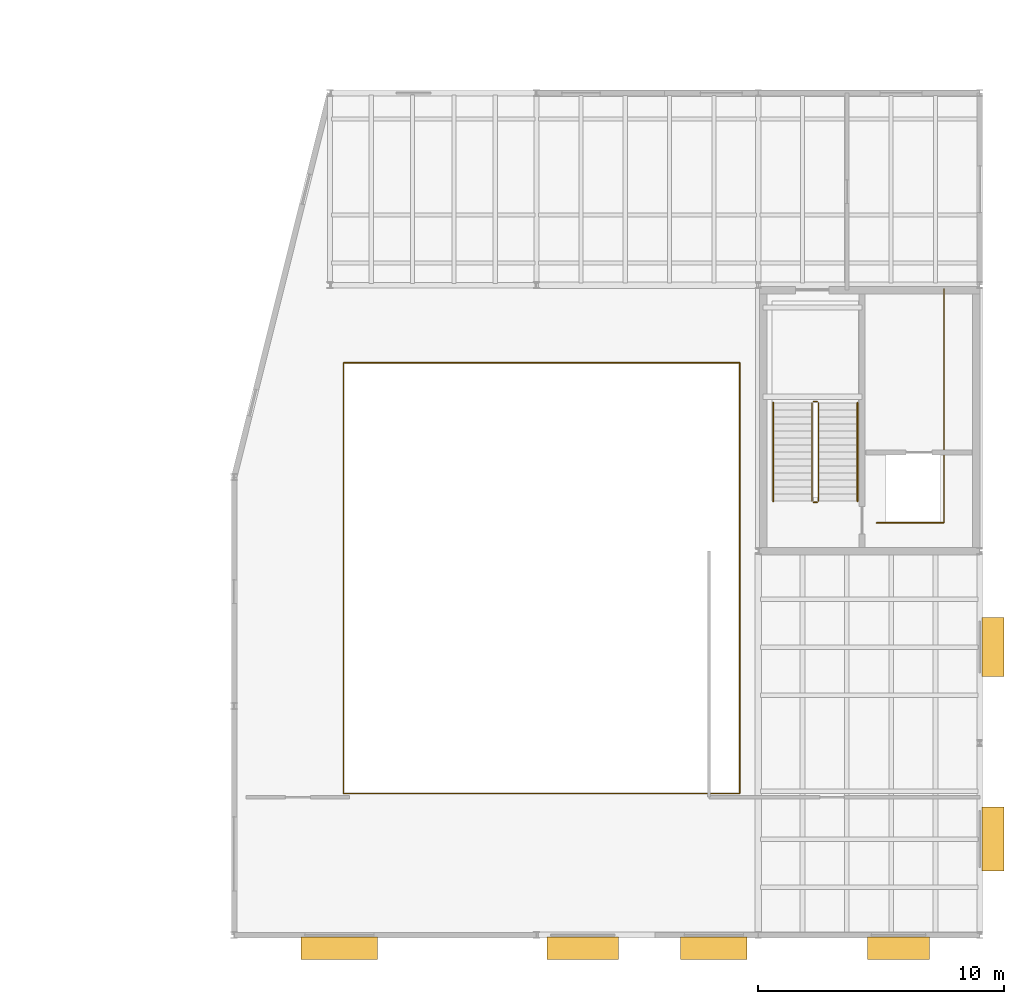
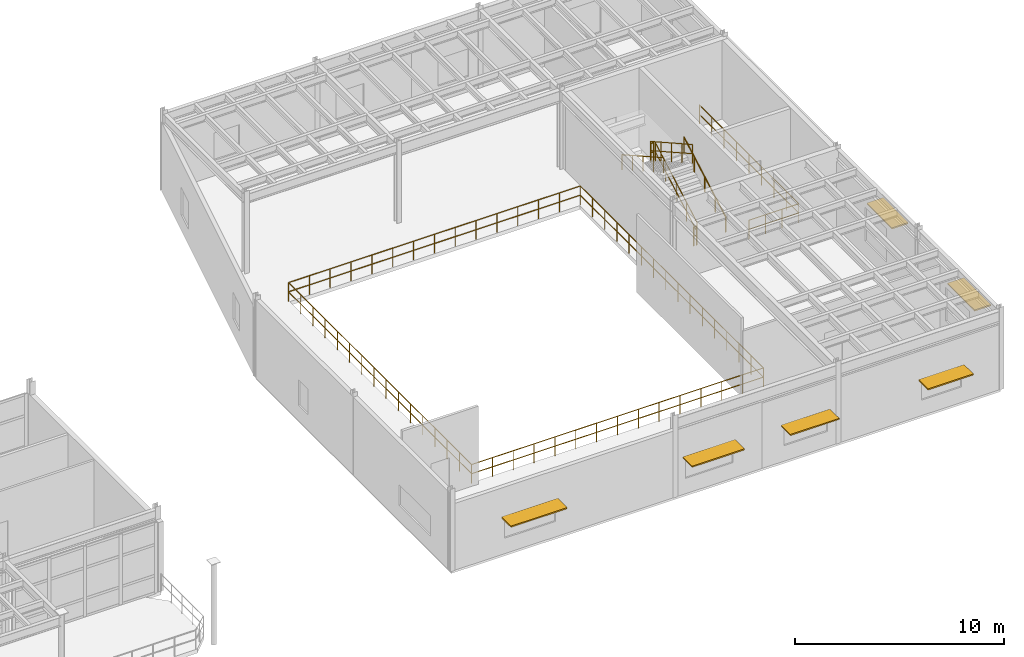
# One storey, part 105 of 105: 11 railings, 6 shading devices.
"""IFC4 building model written with IfcOpenShell, lengths in metres."""

from ifc_helpers import new_model, si_unit, direction, frame, origin, origin_2d, place, context, subcontext, project, spatial, rectangle, circle, extrude, material, layer, layer_set, type_object, element, save


model = new_model("IFC4")

# Units and contexts
model_context = context("Model", 3, precision=1e-05, world=origin(), true_north=direction((0.0, 1.0)))
body_context = subcontext(model_context, "Body", "Model", "MODEL_VIEW")
ifc_project = project(units=[si_unit("LENGTHUNIT", "METRE"), si_unit("AREAUNIT", "SQUARE_METRE"), si_unit("VOLUMEUNIT", "CUBIC_METRE"), si_unit("PLANEANGLEUNIT", "RADIAN"), si_unit("MASSUNIT", "GRAM", prefix="KILO")], contexts=[model_context])

# Site, building, storey
site_placement = place(None, origin())
site = spatial("IfcSite", under=ifc_project, at=site_placement, CompositionType="ELEMENT")
building_placement = place(site_placement, origin())
building = spatial("IfcBuilding", under=site, at=building_placement, Name="Selat Folded Stagehouse", CompositionType="ELEMENT")
storey_placement = place(building_placement, frame((0.0, 0.0, 10.199951171875)))
storey = spatial("IfcBuildingStorey", under=building, at=storey_placement, Name="L02", CompositionType="ELEMENT", Elevation=10.199951171875)

# Railings
ifc_material_1 = material(Name="Bronze-anodised steel balustrade", Category="steel")
ifc_layer_1 = layer(ifc_material_1, 0.06494140625)
ifc_layer_set_1 = layer_set([ifc_layer_1], Name="Bronze-anodised steel balustrade")
railing_type_1 = type_object("IfcRailingType", Name="RLG-BAL-1120", PredefinedType="BALUSTRADE", material=ifc_layer_set_1)
railing_1_placement = place(storey_placement, frame((134.949951171875, 5.75, 0.0)))
element("IfcRailing", 1, at=railing_1_placement, inside=storey, type_object=railing_type_1, Name="L02 protective guard railing 046", PredefinedType="BALUSTRADE", context=body_context, shape_type="SweptSolid", body=[
    extrude(circle(Radius=0.02392578125, at=origin_2d()), frame((0.0, 0.0, 1.09619140625), z_axis=(1.0, 0.0, 0.0), x_axis=(0.0, 1.0, 0.0)), (0.0, 0.0, 1.0), 16.10009765625),
    extrude(circle(Radius=0.02392578125, at=origin_2d()), frame((0.0, 0.0, 0.56005859375), z_axis=(1.0, 0.0, 0.0), x_axis=(0.0, 1.0, 0.0)), (0.0, 0.0, 1.0), 16.10009765625),
    extrude(circle(Radius=0.02099609375, at=origin_2d()), origin(), (0.0, 0.0, 1.0), 1.072021484375),
    extrude(circle(Radius=0.02099609375, at=origin_2d()), frame((1.14990234375, 0.0, 0.0)), (0.0, 0.0, 1.0), 1.072021484375),
    extrude(circle(Radius=0.02099609375, at=origin_2d()), frame((2.300048828125, 0.0, 0.0)), (0.0, 0.0, 1.0), 1.072021484375),
    extrude(circle(Radius=0.02099609375, at=origin_2d()), frame((3.449951171875, 0.0, 0.0)), (0.0, 0.0, 1.0), 1.072021484375),
    extrude(circle(Radius=0.02099609375, at=origin_2d()), frame((4.60009765625, 0.0, 0.0)), (0.0, 0.0, 1.0), 1.072021484375),
    extrude(circle(Radius=0.02099609375, at=origin_2d()), frame((5.75, 0.0, 0.0)), (0.0, 0.0, 1.0), 1.072021484375),
    extrude(circle(Radius=0.02099609375, at=origin_2d()), frame((6.900146484375, 0.0, 0.0)), (0.0, 0.0, 1.0), 1.072021484375),
    extrude(circle(Radius=0.02099609375, at=origin_2d()), frame((8.050048828125, 0.0, 0.0)), (0.0, 0.0, 1.0), 1.072021484375),
    extrude(circle(Radius=0.02099609375, at=origin_2d()), frame((9.199951171875, 0.0, 0.0)), (0.0, 0.0, 1.0), 1.072021484375),
    extrude(circle(Radius=0.02099609375, at=origin_2d()), frame((10.35009765625, 0.0, 0.0)), (0.0, 0.0, 1.0), 1.072021484375),
    extrude(circle(Radius=0.02099609375, at=origin_2d()), frame((11.5, 0.0, 0.0)), (0.0, 0.0, 1.0), 1.072021484375),
    extrude(circle(Radius=0.02099609375, at=origin_2d()), frame((12.650146484375, 0.0, 0.0)), (0.0, 0.0, 1.0), 1.072021484375),
    extrude(circle(Radius=0.02099609375, at=origin_2d()), frame((13.800048828125, 0.0, 0.0)), (0.0, 0.0, 1.0), 1.072021484375),
    extrude(circle(Radius=0.02099609375, at=origin_2d()), frame((14.9501953125, 0.0, 0.0)), (0.0, 0.0, 1.0), 1.072021484375),
    extrude(circle(Radius=0.02099609375, at=origin_2d()), frame((16.10009765625, 0.0, 0.0)), (0.0, 0.0, 1.0), 1.072021484375),
])
railing_2_placement = place(storey_placement, frame((151.050048828125, 5.75, 0.0)))
element("IfcRailing", 2, at=railing_2_placement, inside=storey, type_object=railing_type_1, Name="L02 protective guard railing 047", PredefinedType="BALUSTRADE", context=body_context, shape_type="SweptSolid", body=[
    extrude(circle(Radius=0.02392578125, at=origin_2d()), frame((0.0, 0.0, 1.09619140625), z_axis=(0.0, 1.0, 0.0), x_axis=(-1.0, 0.0, 0.0)), (0.0, 0.0, 1.0), 17.5),
    extrude(circle(Radius=0.02392578125, at=origin_2d()), frame((0.0, 0.0, 0.56005859375), z_axis=(0.0, 1.0, 0.0), x_axis=(-1.0, 0.0, 0.0)), (0.0, 0.0, 1.0), 17.5),
    extrude(circle(Radius=0.02099609375, at=origin_2d()), origin(), (0.0, 0.0, 1.0), 1.072021484375),
    extrude(circle(Radius=0.02099609375, at=origin_2d()), frame((0.0, 1.166748046875, 0.0)), (0.0, 0.0, 1.0), 1.072021484375),
    extrude(circle(Radius=0.02099609375, at=origin_2d()), frame((0.0, 2.333251953125, 0.0)), (0.0, 0.0, 1.0), 1.072021484375),
    extrude(circle(Radius=0.02099609375, at=origin_2d()), frame((0.0, 3.5, 0.0)), (0.0, 0.0, 1.0), 1.072021484375),
    extrude(circle(Radius=0.02099609375, at=origin_2d()), frame((0.0, 4.666748046875, 0.0)), (0.0, 0.0, 1.0), 1.072021484375),
    extrude(circle(Radius=0.02099609375, at=origin_2d()), frame((0.0, 5.833251953125, 0.0)), (0.0, 0.0, 1.0), 1.072021484375),
    extrude(circle(Radius=0.02099609375, at=origin_2d()), frame((0.0, 7.0, 0.0)), (0.0, 0.0, 1.0), 1.072021484375),
    extrude(circle(Radius=0.02099609375, at=origin_2d()), frame((0.0, 8.166748046875, 0.0)), (0.0, 0.0, 1.0), 1.072021484375),
    extrude(circle(Radius=0.02099609375, at=origin_2d()), frame((0.0, 9.333251953125, 0.0)), (0.0, 0.0, 1.0), 1.072021484375),
    extrude(circle(Radius=0.02099609375, at=origin_2d()), frame((0.0, 10.5, 0.0)), (0.0, 0.0, 1.0), 1.072021484375),
    extrude(circle(Radius=0.02099609375, at=origin_2d()), frame((0.0, 11.666748046875, 0.0)), (0.0, 0.0, 1.0), 1.072021484375),
    extrude(circle(Radius=0.02099609375, at=origin_2d()), frame((0.0, 12.833251953125, 0.0)), (0.0, 0.0, 1.0), 1.072021484375),
    extrude(circle(Radius=0.02099609375, at=origin_2d()), frame((0.0, 14.0, 0.0)), (0.0, 0.0, 1.0), 1.072021484375),
    extrude(circle(Radius=0.02099609375, at=origin_2d()), frame((0.0, 15.166748046875, 0.0)), (0.0, 0.0, 1.0), 1.072021484375),
    extrude(circle(Radius=0.02099609375, at=origin_2d()), frame((0.0, 16.333251953125, 0.0)), (0.0, 0.0, 1.0), 1.072021484375),
    extrude(circle(Radius=0.02099609375, at=origin_2d()), frame((0.0, 17.5, 0.0)), (0.0, 0.0, 1.0), 1.072021484375),
])
railing_3_placement = place(storey_placement, frame((151.050048828125, 23.25, 0.0)))
element("IfcRailing", 3, at=railing_3_placement, inside=storey, type_object=railing_type_1, Name="L02 protective guard railing 048", PredefinedType="BALUSTRADE", context=body_context, shape_type="SweptSolid", body=[
    extrude(circle(Radius=0.02392578125, at=origin_2d()), frame((0.0, 0.0, 1.09619140625), z_axis=(-1.0, 0.0, 0.0), x_axis=(0.0, -1.0, 0.0)), (0.0, 0.0, 1.0), 16.10009765625),
    extrude(circle(Radius=0.02392578125, at=origin_2d()), frame((0.0, 0.0, 0.56005859375), z_axis=(-1.0, 0.0, 0.0), x_axis=(0.0, -1.0, 0.0)), (0.0, 0.0, 1.0), 16.10009765625),
    extrude(circle(Radius=0.02099609375, at=origin_2d()), origin(), (0.0, 0.0, 1.0), 1.072021484375),
    extrude(circle(Radius=0.02099609375, at=origin_2d()), frame((-1.14990234375, 0.0, 0.0)), (0.0, 0.0, 1.0), 1.072021484375),
    extrude(circle(Radius=0.02099609375, at=origin_2d()), frame((-2.300048828125, 0.0, 0.0)), (0.0, 0.0, 1.0), 1.072021484375),
    extrude(circle(Radius=0.02099609375, at=origin_2d()), frame((-3.449951171875, 0.0, 0.0)), (0.0, 0.0, 1.0), 1.072021484375),
    extrude(circle(Radius=0.02099609375, at=origin_2d()), frame((-4.60009765625, 0.0, 0.0)), (0.0, 0.0, 1.0), 1.072021484375),
    extrude(circle(Radius=0.02099609375, at=origin_2d()), frame((-5.75, 0.0, 0.0)), (0.0, 0.0, 1.0), 1.072021484375),
    extrude(circle(Radius=0.02099609375, at=origin_2d()), frame((-6.900146484375, 0.0, 0.0)), (0.0, 0.0, 1.0), 1.072021484375),
    extrude(circle(Radius=0.02099609375, at=origin_2d()), frame((-8.050048828125, 0.0, 0.0)), (0.0, 0.0, 1.0), 1.072021484375),
    extrude(circle(Radius=0.02099609375, at=origin_2d()), frame((-9.199951171875, 0.0, 0.0)), (0.0, 0.0, 1.0), 1.072021484375),
    extrude(circle(Radius=0.02099609375, at=origin_2d()), frame((-10.35009765625, 0.0, 0.0)), (0.0, 0.0, 1.0), 1.072021484375),
    extrude(circle(Radius=0.02099609375, at=origin_2d()), frame((-11.5, 0.0, 0.0)), (0.0, 0.0, 1.0), 1.072021484375),
    extrude(circle(Radius=0.02099609375, at=origin_2d()), frame((-12.650146484375, 0.0, 0.0)), (0.0, 0.0, 1.0), 1.072021484375),
    extrude(circle(Radius=0.02099609375, at=origin_2d()), frame((-13.800048828125, 0.0, 0.0)), (0.0, 0.0, 1.0), 1.072021484375),
    extrude(circle(Radius=0.02099609375, at=origin_2d()), frame((-14.9501953125, 0.0, 0.0)), (0.0, 0.0, 1.0), 1.072021484375),
    extrude(circle(Radius=0.02099609375, at=origin_2d()), frame((-16.10009765625, 0.0, 0.0)), (0.0, 0.0, 1.0), 1.072021484375),
])
railing_4_placement = place(storey_placement, frame((134.949951171875, 23.25, 0.0)))
element("IfcRailing", 4, at=railing_4_placement, inside=storey, type_object=railing_type_1, Name="L02 protective guard railing 049", PredefinedType="BALUSTRADE", context=body_context, shape_type="SweptSolid", body=[
    extrude(circle(Radius=0.02392578125, at=origin_2d()), frame((0.0, 0.0, 1.09619140625), z_axis=(0.0, -1.0, 0.0), x_axis=(1.0, 0.0, 0.0)), (0.0, 0.0, 1.0), 17.5),
    extrude(circle(Radius=0.02392578125, at=origin_2d()), frame((0.0, 0.0, 0.56005859375), z_axis=(0.0, -1.0, 0.0), x_axis=(1.0, 0.0, 0.0)), (0.0, 0.0, 1.0), 17.5),
    extrude(circle(Radius=0.02099609375, at=origin_2d()), origin(), (0.0, 0.0, 1.0), 1.072021484375),
    extrude(circle(Radius=0.02099609375, at=origin_2d()), frame((0.0, -1.166748046875, 0.0)), (0.0, 0.0, 1.0), 1.072021484375),
    extrude(circle(Radius=0.02099609375, at=origin_2d()), frame((0.0, -2.333251953125, 0.0)), (0.0, 0.0, 1.0), 1.072021484375),
    extrude(circle(Radius=0.02099609375, at=origin_2d()), frame((0.0, -3.5, 0.0)), (0.0, 0.0, 1.0), 1.072021484375),
    extrude(circle(Radius=0.02099609375, at=origin_2d()), frame((0.0, -4.666748046875, 0.0)), (0.0, 0.0, 1.0), 1.072021484375),
    extrude(circle(Radius=0.02099609375, at=origin_2d()), frame((0.0, -5.833251953125, 0.0)), (0.0, 0.0, 1.0), 1.072021484375),
    extrude(circle(Radius=0.02099609375, at=origin_2d()), frame((0.0, -7.0, 0.0)), (0.0, 0.0, 1.0), 1.072021484375),
    extrude(circle(Radius=0.02099609375, at=origin_2d()), frame((0.0, -8.166748046875, 0.0)), (0.0, 0.0, 1.0), 1.072021484375),
    extrude(circle(Radius=0.02099609375, at=origin_2d()), frame((0.0, -9.333251953125, 0.0)), (0.0, 0.0, 1.0), 1.072021484375),
    extrude(circle(Radius=0.02099609375, at=origin_2d()), frame((0.0, -10.5, 0.0)), (0.0, 0.0, 1.0), 1.072021484375),
    extrude(circle(Radius=0.02099609375, at=origin_2d()), frame((0.0, -11.666748046875, 0.0)), (0.0, 0.0, 1.0), 1.072021484375),
    extrude(circle(Radius=0.02099609375, at=origin_2d()), frame((0.0, -12.833251953125, 0.0)), (0.0, 0.0, 1.0), 1.072021484375),
    extrude(circle(Radius=0.02099609375, at=origin_2d()), frame((0.0, -14.0, 0.0)), (0.0, 0.0, 1.0), 1.072021484375),
    extrude(circle(Radius=0.02099609375, at=origin_2d()), frame((0.0, -15.166748046875, 0.0)), (0.0, 0.0, 1.0), 1.072021484375),
    extrude(circle(Radius=0.02099609375, at=origin_2d()), frame((0.0, -16.333251953125, 0.0)), (0.0, 0.0, 1.0), 1.072021484375),
    extrude(circle(Radius=0.02099609375, at=origin_2d()), frame((0.0, -17.5, 0.0)), (0.0, 0.0, 1.0), 1.072021484375),
])
railing_5_placement = place(storey_placement, frame((156.60009765625, 16.75, 0.0)))
element("IfcRailing", 5, at=railing_5_placement, inside=storey, type_object=railing_type_1, Name="L02 CR-4 shaft rim guard", PredefinedType="BALUSTRADE", context=body_context, shape_type="SweptSolid", body=[
    extrude(circle(Radius=0.02392578125, at=origin_2d()), frame((0.0, 0.0, 1.09619140625), z_axis=(1.0, 0.0, 0.0), x_axis=(0.0, 1.0, 0.0)), (0.0, 0.0, 1.0), 2.75),
    extrude(circle(Radius=0.02392578125, at=origin_2d()), frame((0.0, 0.0, 0.56005859375), z_axis=(1.0, 0.0, 0.0), x_axis=(0.0, 1.0, 0.0)), (0.0, 0.0, 1.0), 2.75),
    extrude(circle(Radius=0.02392578125, at=origin_2d()), frame((2.75, 0.0, 1.09619140625), z_axis=(0.0, 1.0, 0.0), x_axis=(-1.0, 0.0, 0.0)), (0.0, 0.0, 1.0), 9.5),
    extrude(circle(Radius=0.02392578125, at=origin_2d()), frame((2.75, 0.0, 0.56005859375), z_axis=(0.0, 1.0, 0.0), x_axis=(-1.0, 0.0, 0.0)), (0.0, 0.0, 1.0), 9.5),
    extrude(circle(Radius=0.02099609375, at=origin_2d()), origin(), (0.0, 0.0, 1.0), 1.072021484375),
    extrude(circle(Radius=0.02099609375, at=origin_2d()), frame((0.916748046875, 0.0, 0.0)), (0.0, 0.0, 1.0), 1.072021484375),
    extrude(circle(Radius=0.02099609375, at=origin_2d()), frame((1.833251953125, 0.0, 0.0)), (0.0, 0.0, 1.0), 1.072021484375),
    extrude(circle(Radius=0.02099609375, at=origin_2d()), frame((2.75, 0.0, 0.0)), (0.0, 0.0, 1.0), 1.072021484375),
    extrude(circle(Radius=0.02099609375, at=origin_2d()), frame((2.75, 1.1875, 0.0)), (0.0, 0.0, 1.0), 1.072021484375),
    extrude(circle(Radius=0.02099609375, at=origin_2d()), frame((2.75, 2.375, 0.0)), (0.0, 0.0, 1.0), 1.072021484375),
    extrude(circle(Radius=0.02099609375, at=origin_2d()), frame((2.75, 3.5625, 0.0)), (0.0, 0.0, 1.0), 1.072021484375),
    extrude(circle(Radius=0.02099609375, at=origin_2d()), frame((2.75, 4.75, 0.0)), (0.0, 0.0, 1.0), 1.072021484375),
    extrude(circle(Radius=0.02099609375, at=origin_2d()), frame((2.75, 5.9375, 0.0)), (0.0, 0.0, 1.0), 1.072021484375),
    extrude(circle(Radius=0.02099609375, at=origin_2d()), frame((2.75, 7.125, 0.0)), (0.0, 0.0, 1.0), 1.072021484375),
    extrude(circle(Radius=0.02099609375, at=origin_2d()), frame((2.75, 8.3125, 0.0)), (0.0, 0.0, 1.0), 1.072021484375),
    extrude(circle(Radius=0.02099609375, at=origin_2d()), frame((2.75, 9.5, 0.0)), (0.0, 0.0, 1.0), 1.072021484375),
])
railing_6_placement = place(storey_placement, frame((154.25, 17.6298828125, 0.16015625)))
element("IfcRailing", 6, at=railing_6_placement, inside=storey, type_object=railing_type_1, Name="L02 ST-04 stair well guard 1", PredefinedType="BALUSTRADE", context=body_context, shape_type="SweptSolid", body=[
    extrude(circle(Radius=0.02392578125, at=origin_2d()), frame((0.0, 0.0, 1.09619140625), z_axis=(0.0, 0.871996970297, 0.489511270342), x_axis=(-1.0, 0.0, 0.0)), (0.0, 0.0, 1.0), 4.575927734375),
    extrude(circle(Radius=0.02392578125, at=origin_2d()), frame((0.0, 0.0, 0.56005859375), z_axis=(0.0, 0.871996970297, 0.489511270342), x_axis=(-1.0, 0.0, 0.0)), (0.0, 0.0, 1.0), 4.575927734375),
    extrude(circle(Radius=0.02099609375, at=origin_2d()), origin(), (0.0, 0.0, 1.0), 1.072021484375),
    extrude(circle(Radius=0.02099609375, at=origin_2d()), frame((0.0, 0.99755859375, 0.56005859375)), (0.0, 0.0, 1.0), 1.072021484375),
    extrude(circle(Radius=0.02099609375, at=origin_2d()), frame((0.0, 1.9951171875, 1.1201171875)), (0.0, 0.0, 1.0), 1.072021484375),
    extrude(circle(Radius=0.02099609375, at=origin_2d()), frame((0.0, 2.99267578125, 1.679931640625)), (0.0, 0.0, 1.0), 1.072021484375),
    extrude(circle(Radius=0.02099609375, at=origin_2d()), frame((0.0, 3.990234375, 2.239990234375)), (0.0, 0.0, 1.0), 1.072021484375),
])
railing_7_placement = place(storey_placement, frame((154.199951171875, 21.669921875, 2.400146484375)))
element("IfcRailing", 7, at=railing_7_placement, inside=storey, type_object=railing_type_1, Name="L02 ST-04 stair well guard 2", PredefinedType="BALUSTRADE", context=body_context, shape_type="SweptSolid", body=[
    extrude(circle(Radius=0.02392578125, at=origin_2d()), frame((0.0, 0.0, 1.09619140625), z_axis=(-1.0, 0.0, 0.0), x_axis=(0.0, -1.0, 0.0)), (0.0, 0.0, 1.0), 0.159912109375),
    extrude(circle(Radius=0.02392578125, at=origin_2d()), frame((0.0, 0.0, 0.56005859375), z_axis=(-1.0, 0.0, 0.0), x_axis=(0.0, -1.0, 0.0)), (0.0, 0.0, 1.0), 0.159912109375),
    extrude(circle(Radius=0.02099609375, at=origin_2d()), origin(), (0.0, 0.0, 1.0), 1.072021484375),
    extrude(circle(Radius=0.02099609375, at=origin_2d()), frame((-0.159912109375, 0.0, 0.0)), (0.0, 0.0, 1.0), 1.072021484375),
])
railing_8_placement = place(storey_placement, frame((153.989990234375, 21.6201171875, 2.56005859375)))
element("IfcRailing", 8, at=railing_8_placement, inside=storey, type_object=railing_type_1, Name="L02 ST-04 stair well guard 3", PredefinedType="BALUSTRADE", context=body_context, shape_type="SweptSolid", body=[
    extrude(circle(Radius=0.02392578125, at=origin_2d()), frame((0.0, 0.0, 1.09619140625), z_axis=(0.0, -0.871996970297, 0.489511270342), x_axis=(1.0, 0.0, 0.0)), (0.0, 0.0, 1.0), 4.575927734375),
    extrude(circle(Radius=0.02392578125, at=origin_2d()), frame((0.0, 0.0, 0.56005859375), z_axis=(0.0, -0.871996970297, 0.489511270342), x_axis=(1.0, 0.0, 0.0)), (0.0, 0.0, 1.0), 4.575927734375),
    extrude(circle(Radius=0.02099609375, at=origin_2d()), origin(), (0.0, 0.0, 1.0), 1.072021484375),
    extrude(circle(Radius=0.02099609375, at=origin_2d()), frame((0.0, -0.99755859375, 0.56005859375)), (0.0, 0.0, 1.0), 1.072021484375),
    extrude(circle(Radius=0.02099609375, at=origin_2d()), frame((0.0, -1.9951171875, 1.1201171875)), (0.0, 0.0, 1.0), 1.072021484375),
    extrude(circle(Radius=0.02099609375, at=origin_2d()), frame((0.0, -2.99267578125, 1.679931640625)), (0.0, 0.0, 1.0), 1.072021484375),
    extrude(circle(Radius=0.02099609375, at=origin_2d()), frame((0.0, -3.990234375, 2.239990234375)), (0.0, 0.0, 1.0), 1.072021484375),
])
railing_9_placement = place(storey_placement, frame((154.199951171875, 17.580078125, 0.0)))
element("IfcRailing", 9, at=railing_9_placement, inside=storey, type_object=railing_type_1, Name="L02 ST-04 stair well guard 4", PredefinedType="BALUSTRADE", context=body_context, shape_type="SweptSolid", body=[
    extrude(circle(Radius=0.02392578125, at=origin_2d()), frame((0.0, 0.0, 1.09619140625), z_axis=(-1.0, 0.0, 0.0), x_axis=(0.0, -1.0, 0.0)), (0.0, 0.0, 1.0), 0.159912109375),
    extrude(circle(Radius=0.02392578125, at=origin_2d()), frame((0.0, 0.0, 0.56005859375), z_axis=(-1.0, 0.0, 0.0), x_axis=(0.0, -1.0, 0.0)), (0.0, 0.0, 1.0), 0.159912109375),
    extrude(circle(Radius=0.02099609375, at=origin_2d()), origin(), (0.0, 0.0, 1.0), 1.072021484375),
    extrude(circle(Radius=0.02099609375, at=origin_2d()), frame((-0.159912109375, 0.0, 0.0)), (0.0, 0.0, 1.0), 1.072021484375),
])
ifc_material_2 = material(Name="Brushed stainless steel 1.4301", Category="steel")
ifc_layer_2 = layer(ifc_material_2, 0.048095703125)
ifc_layer_set_2 = layer_set([ifc_layer_2], Name="Brushed stainless steel 1.4301")
railing_type_2 = type_object("IfcRailingType", Name="RLG-HANDRAIL-900", PredefinedType="HANDRAIL", material=ifc_layer_set_2)
railing_10_placement = place(storey_placement, frame((155.830078125, 17.6298828125, 0.16015625)))
element("IfcRailing", 10, at=railing_10_placement, inside=storey, type_object=railing_type_2, Name="L02 ST-04 wall handrail 1", PredefinedType="HANDRAIL", context=body_context, shape_type="SweptSolid", body=[
    extrude(circle(Radius=0.02392578125, at=origin_2d()), frame((0.0, 0.0, 0.8759765625), z_axis=(0.0, 0.871996970297, 0.489511270342), x_axis=(-1.0, 0.0, 0.0)), (0.0, 0.0, 1.0), 4.575927734375),
    extrude(circle(Radius=0.02099609375, at=origin_2d()), origin(), (0.0, 0.0, 1.0), 0.851806640625),
    extrude(circle(Radius=0.02099609375, at=origin_2d()), frame((0.0, 0.99755859375, 0.56005859375)), (0.0, 0.0, 1.0), 0.851806640625),
    extrude(circle(Radius=0.02099609375, at=origin_2d()), frame((0.0, 1.9951171875, 1.1201171875)), (0.0, 0.0, 1.0), 0.851806640625),
    extrude(circle(Radius=0.02099609375, at=origin_2d()), frame((0.0, 2.99267578125, 1.679931640625)), (0.0, 0.0, 1.0), 0.851806640625),
    extrude(circle(Radius=0.02099609375, at=origin_2d()), frame((0.0, 3.990234375, 2.239990234375)), (0.0, 0.0, 1.0), 0.851806640625),
])
railing_11_placement = place(storey_placement, frame((152.409912109375, 21.6201171875, 2.56005859375)))
element("IfcRailing", 11, at=railing_11_placement, inside=storey, type_object=railing_type_2, Name="L02 ST-04 wall handrail 2", PredefinedType="HANDRAIL", context=body_context, shape_type="SweptSolid", body=[
    extrude(circle(Radius=0.02392578125, at=origin_2d()), frame((0.0, 0.0, 0.8759765625), z_axis=(0.0, -0.871996970297, 0.489511270342), x_axis=(1.0, 0.0, 0.0)), (0.0, 0.0, 1.0), 4.575927734375),
    extrude(circle(Radius=0.02099609375, at=origin_2d()), origin(), (0.0, 0.0, 1.0), 0.851806640625),
    extrude(circle(Radius=0.02099609375, at=origin_2d()), frame((0.0, -0.99755859375, 0.56005859375)), (0.0, 0.0, 1.0), 0.851806640625),
    extrude(circle(Radius=0.02099609375, at=origin_2d()), frame((0.0, -1.9951171875, 1.1201171875)), (0.0, 0.0, 1.0), 0.851806640625),
    extrude(circle(Radius=0.02099609375, at=origin_2d()), frame((0.0, -2.99267578125, 1.679931640625)), (0.0, 0.0, 1.0), 0.851806640625),
    extrude(circle(Radius=0.02099609375, at=origin_2d()), frame((0.0, -3.990234375, 2.239990234375)), (0.0, 0.0, 1.0), 0.851806640625),
])

# Shading devices
ifc_material_3 = material(Name="Bronze-anodised aluminium 6063-T6", Category="aluminium")
ifc_layer_3 = layer(ifc_material_3, 0.074951171875)
ifc_layer_set_3 = layer_set([ifc_layer_3], Name="Bronze-anodised aluminium 6063-T6")
shading_device_type = type_object("IfcShadingDeviceType", Name="SHD-HOOD-900x75", PredefinedType="USERDEFINED", material=ifc_layer_set_3)
shading_device_1_placement = place(storey_placement, frame((157.5, -0.534912109375, 2.0625), z_axis=(0.0, 0.0, 1.0), x_axis=(-1.0, 0.0, 0.0)))
element("IfcShadingDevice", 12, at=shading_device_1_placement, inside=storey, type_object=shading_device_type, Name="L02 monsoon window sunhood 09", ObjectType="SUNSHADE", PredefinedType="USERDEFINED", context=body_context, shape_type="SweptSolid", body=[
    extrude(rectangle(XDim=2.5, YDim=0.89990234375, at=origin_2d()), origin(), (0.0, 0.0, 1.0), 0.074951171875),
])
shading_device_2_placement = place(storey_placement, frame((150.0, -0.534912109375, 2.0625), z_axis=(0.0, 0.0, 1.0), x_axis=(-1.0, 0.0, 0.0)))
element("IfcShadingDevice", 13, at=shading_device_2_placement, inside=storey, type_object=shading_device_type, Name="L02 monsoon window sunhood 10", ObjectType="SUNSHADE", PredefinedType="USERDEFINED", context=body_context, shape_type="SweptSolid", body=[
    extrude(rectangle(XDim=2.699951171875, YDim=0.89990234375, at=origin_2d()), origin(), (0.0, 0.0, 1.0), 0.074951171875),
])
shading_device_3_placement = place(storey_placement, frame((144.677490234375, -0.534912109375, 2.11279296875), z_axis=(0.0, 0.0, 1.0), x_axis=(-1.0, 0.0, 0.0)))
element("IfcShadingDevice", 14, at=shading_device_3_placement, inside=storey, type_object=shading_device_type, Name="L02 monsoon window sunhood 11", ObjectType="SUNSHADE", PredefinedType="USERDEFINED", context=body_context, shape_type="SweptSolid", body=[
    extrude(rectangle(XDim=2.89990234375, YDim=0.89990234375, at=origin_2d()), origin(), (0.0, 0.0, 1.0), 0.074951171875),
])
shading_device_4_placement = place(storey_placement, frame((134.782958984375, -0.534912109375, 2.11279296875), z_axis=(0.0, 0.0, 1.0), x_axis=(-1.0, 0.0, 0.0)))
element("IfcShadingDevice", 15, at=shading_device_4_placement, inside=storey, type_object=shading_device_type, Name="L02 monsoon window sunhood 12", ObjectType="SUNSHADE", PredefinedType="USERDEFINED", context=body_context, shape_type="SweptSolid", body=[
    extrude(rectangle(XDim=3.10009765625, YDim=0.89990234375, at=origin_2d()), origin(), (0.0, 0.0, 1.0), 0.074951171875),
])
shading_device_5_placement = place(storey_placement, frame((161.3349609375, 11.699951171875, 2.86279296875), z_axis=(0.0, 0.0, 1.0), x_axis=(0.0, -1.0, 0.0)))
element("IfcShadingDevice", 16, at=shading_device_5_placement, inside=storey, type_object=shading_device_type, Name="L02 monsoon window sunhood 13", ObjectType="SUNSHADE", PredefinedType="USERDEFINED", context=body_context, shape_type="SweptSolid", body=[
    extrude(rectangle(XDim=2.39990234375, YDim=0.89990234375, at=origin_2d()), origin(), (0.0, 0.0, 1.0), 0.074951171875),
])
shading_device_6_placement = place(storey_placement, frame((161.3349609375, 3.89990234375, 2.86279296875), z_axis=(0.0, 0.0, 1.0), x_axis=(0.0, -1.0, 0.0)))
element("IfcShadingDevice", 17, at=shading_device_6_placement, inside=storey, type_object=shading_device_type, Name="L02 monsoon window sunhood 14", ObjectType="SUNSHADE", PredefinedType="USERDEFINED", context=body_context, shape_type="SweptSolid", body=[
    extrude(rectangle(XDim=2.60009765625, YDim=0.89990234375, at=origin_2d()), origin(), (0.0, 0.0, 1.0), 0.074951171875),
])

save(model, "model.ifc")
